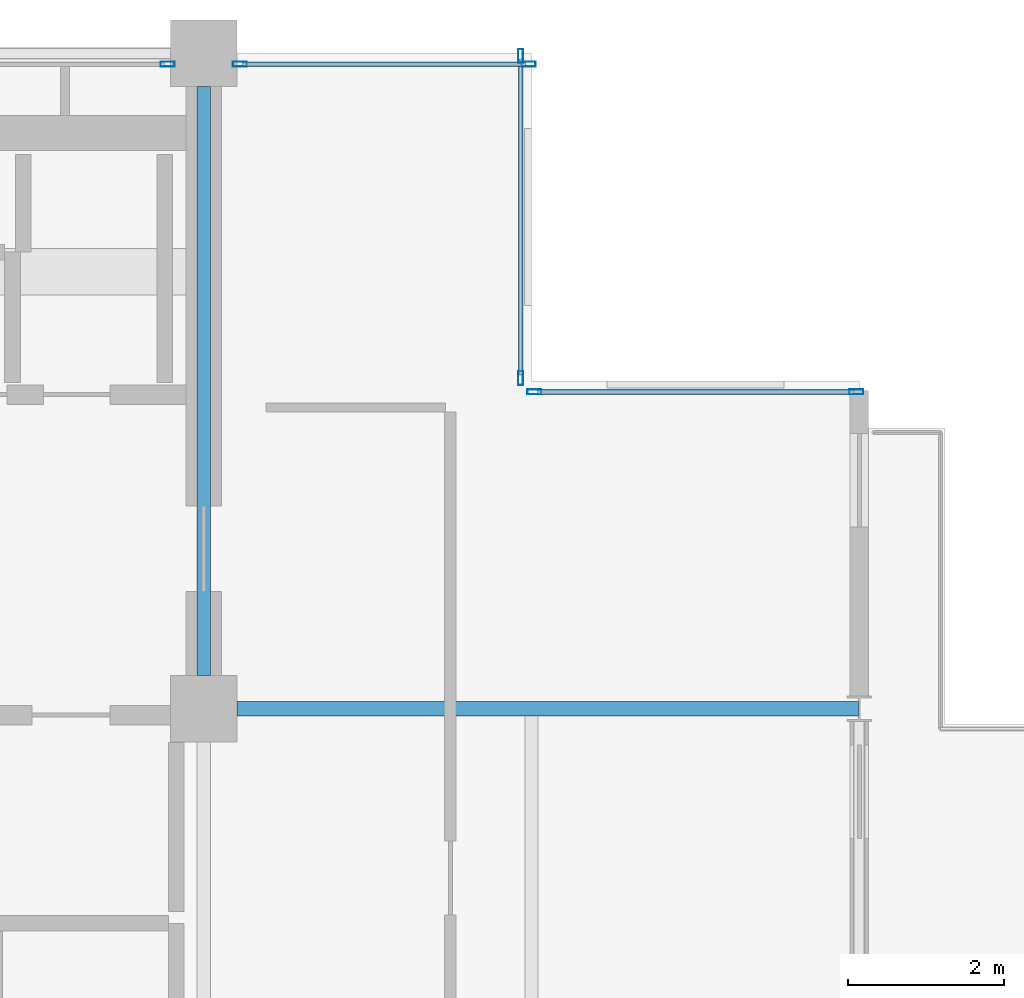
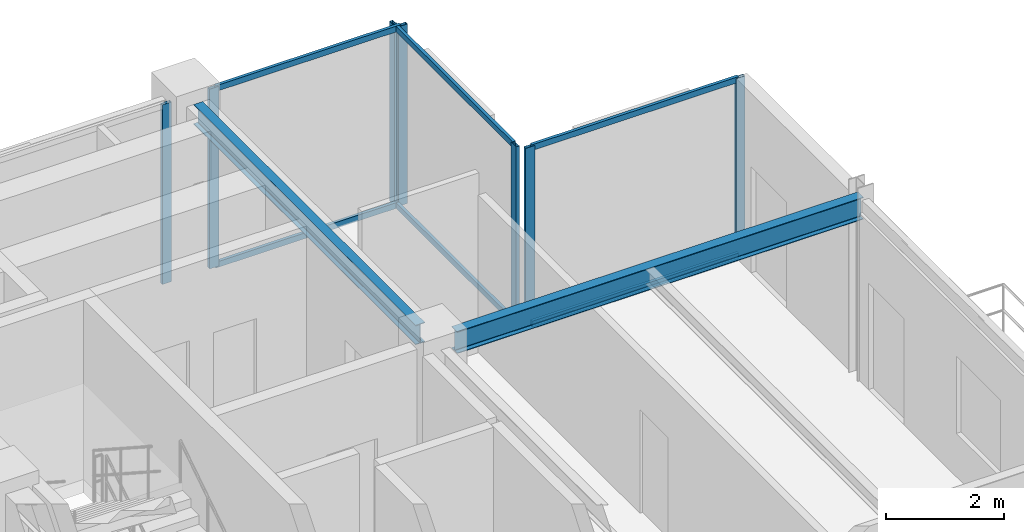
# One storey, part 18 of 24: 13 members, 2 beams, 4 elements without a shape of their own.
"""IFC4 building model written with IfcOpenShell, lengths in metres."""

from ifc_helpers import new_model, si_unit, direction, frame, origin, origin_2d, place, context, subcontext, project, spatial, hollow_rectangle, i_section, extrude, material, layer, layer_set, material_profile, profile_set, type_object, element, aggregate, save


model = new_model("IFC4")

# Units and contexts
model_context = context("Model", 3, precision=1e-05, world=origin(), true_north=direction((0.0, 1.0)))
body_context = subcontext(model_context, "Body", "Model", "MODEL_VIEW")
ifc_project = project(units=[si_unit("LENGTHUNIT", "METRE"), si_unit("AREAUNIT", "SQUARE_METRE"), si_unit("VOLUMEUNIT", "CUBIC_METRE"), si_unit("PLANEANGLEUNIT", "RADIAN"), si_unit("MASSUNIT", "GRAM", prefix="KILO")], contexts=[model_context])

# Site, building, storey
site_placement = place(None, origin())
site = spatial("IfcSite", under=ifc_project, at=site_placement, CompositionType="ELEMENT")
building_placement = place(site_placement, origin())
building = spatial("IfcBuilding", under=site, at=building_placement, Name="Nerrivon Quay Data Exchange", CompositionType="ELEMENT")
storey_placement = place(building_placement, frame((0.0, 0.0, 306.199951171875)))
storey = spatial("IfcBuildingStorey", under=building, at=storey_placement, Name="L73", CompositionType="ELEMENT", Elevation=306.199951171875)

# Beams
ifc_material_1 = material(Name="Steel Grade 350", Category="steel")
ifc_material_profile_1 = material_profile(ifc_material_1, i_section(OverallWidth=0.18994140625, OverallDepth=0.4541015625, WebThickness=0.008544921875, FlangeThickness=0.0126953125, FilletRadius=0.011474609375, at=origin_2d()), Name="460UB67.1")
ifc_profile_set_1 = profile_set([ifc_material_profile_1], Name="Steel Grade 350")
beam_type_1 = type_object("IfcBeamType", Name="BM-G6-460UB67", PredefinedType="BEAM", material=ifc_profile_set_1)
beam_1_placement = place(storey_placement, frame((17.22509765625, 33.60009765625, 3.498046875), z_axis=(1.0, 0.0, 0.0), x_axis=(0.0, 1.0, 0.0)))
element("IfcBeam", 1, at=beam_1_placement, inside=storey, type_object=beam_type_1, Name="L73 EW Girder Y=33.6 (16.8..25.2)", PredefinedType="BEAM", context=body_context, shape_type="SweptSolid", body=[
    extrude(i_section(OverallWidth=0.18994140625, OverallDepth=0.4541015625, WebThickness=0.008544921875, FlangeThickness=0.0126953125, FilletRadius=0.011474609375, at=origin_2d()), origin(), (0.0, 0.0, 1.0), 7.967041015625),
])
ifc_material_profile_2 = material_profile(ifc_material_1, i_section(OverallWidth=0.177978515625, OverallDepth=0.406005859375, WebThickness=0.0078125, FlangeThickness=0.0126953125, FilletRadius=0.011474609375, at=origin_2d()), Name="410UB59.7")
ifc_profile_set_2 = profile_set([ifc_material_profile_2], Name="Steel Grade 350")
beam_type_2 = type_object("IfcBeamType", Name="BM-J1-410UB60", PredefinedType="JOIST", material=ifc_profile_set_2)
beam_2_placement = place(storey_placement, frame((16.800048828125, 34.02490234375, 3.52197265625), z_axis=(0.0, 1.0, 0.0), x_axis=(-1.0, 0.0, 0.0)))
element("IfcBeam", 2, at=beam_2_placement, inside=storey, type_object=beam_type_2, Name="L73 NS Girder X=16.8 (33.6..42.0)", PredefinedType="JOIST", context=body_context, shape_type="SweptSolid", body=[
    extrude(i_section(OverallWidth=0.177978515625, OverallDepth=0.406005859375, WebThickness=0.0078125, FlangeThickness=0.0126953125, FilletRadius=0.011474609375, at=origin_2d()), origin(), (0.0, 0.0, 1.0), 7.550048828125),
])

# Curtain wall, member
ifc_material_2 = material(Name="Anodised aluminium 6063-T6", Category="aluminium")
ifc_layer = layer(ifc_material_2, 0.195068359375)
ifc_layer_set = layer_set([ifc_layer], Name="Anodised aluminium 6063-T6")
curtain_wall_type = type_object("IfcCurtainWallType", Name="CW-SYS-06", PredefinedType="NOTDEFINED", material=ifc_layer_set)
curtain_wall_1_placement = place(storey_placement, origin())
curtain_wall_1 = element("IfcCurtainWall", 3, at=curtain_wall_1_placement, inside=storey, type_object=curtain_wall_type, Name="L73 Unitised Curtain Wall 15", PredefinedType="NOTDEFINED")
ifc_material_profile_3 = material_profile(ifc_material_2, hollow_rectangle(XDim=0.06494140625, YDim=0.179931640625, WallThickness=0.00341796875, at=origin_2d()), Name="ALU-MULL-180x65")
ifc_profile_set_3 = profile_set([ifc_material_profile_3], Name="Anodised aluminium 6063-T6")
member_type_1 = type_object("IfcMemberType", Name="CWM-180x65", PredefinedType="MULLION", material=ifc_profile_set_3)
member_1_placement = place(storey_placement, frame((16.33740234375, 41.860107421875, 0.0), z_axis=(0.0, 0.0, 1.0), x_axis=(0.0, 1.0, 0.0)))
member_1 = element("IfcMember", 4, at=member_1_placement, type_object=member_type_1, Name="CW06 mullion 2", PredefinedType="MULLION", context=body_context, shape_type="SweptSolid", body=[
    extrude(hollow_rectangle(XDim=0.06494140625, YDim=0.179931640625, WallThickness=0.00341796875, at=origin_2d()), origin(), (0.0, 0.0, 1.0), 3.72509765625),
])
aggregate(curtain_wall_1, [member_1])

# Curtain wall, members
curtain_wall_2_placement = place(storey_placement, origin())
curtain_wall_2 = element("IfcCurtainWall", 5, at=curtain_wall_2_placement, inside=storey, type_object=curtain_wall_type, Name="L73 Unitised Curtain Wall 16", PredefinedType="NOTDEFINED")
member_2_placement = place(storey_placement, frame((17.262451171875, 41.860107421875, 0.0), z_axis=(0.0, 0.0, 1.0), x_axis=(0.0, 1.0, 0.0)))
member_2 = element("IfcMember", 6, at=member_2_placement, type_object=member_type_1, Name="CW06 mullion 1", PredefinedType="MULLION", context=body_context, shape_type="SweptSolid", body=[
    extrude(hollow_rectangle(XDim=0.06494140625, YDim=0.179931640625, WallThickness=0.00341796875, at=origin_2d()), origin(), (0.0, 0.0, 1.0), 3.72509765625),
])
member_3_placement = place(storey_placement, frame((20.96240234375, 41.860107421875, 0.0), z_axis=(0.0, 0.0, 1.0), x_axis=(0.0, 1.0, 0.0)))
member_3 = element("IfcMember", 7, at=member_3_placement, type_object=member_type_1, Name="CW06 mullion 2", PredefinedType="MULLION", context=body_context, shape_type="SweptSolid", body=[
    extrude(hollow_rectangle(XDim=0.06494140625, YDim=0.179931640625, WallThickness=0.00341796875, at=origin_2d()), origin(), (0.0, 0.0, 1.0), 3.72509765625),
])

curtain_wall_3_placement = place(storey_placement, origin())
curtain_wall_3 = element("IfcCurtainWall", 8, at=curtain_wall_3_placement, inside=storey, type_object=curtain_wall_type, Name="L73 Unitised Curtain Wall 17", PredefinedType="NOTDEFINED")
member_4_placement = place(storey_placement, frame((20.860107421875, 41.96240234375, 0.0), z_axis=(0.0, 0.0, 1.0), x_axis=(1.0, 0.0, 0.0)))
member_4 = element("IfcMember", 9, at=member_4_placement, type_object=member_type_1, Name="CW06 mullion 1", PredefinedType="MULLION", context=body_context, shape_type="SweptSolid", body=[
    extrude(hollow_rectangle(XDim=0.06494140625, YDim=0.179931640625, WallThickness=0.00341796875, at=origin_2d()), origin(), (0.0, 0.0, 1.0), 3.72509765625),
])
member_5_placement = place(storey_placement, frame((20.860107421875, 37.83740234375, 0.0), z_axis=(0.0, 0.0, 1.0), x_axis=(1.0, 0.0, 0.0)))
member_5 = element("IfcMember", 10, at=member_5_placement, type_object=member_type_1, Name="CW06 mullion 2", PredefinedType="MULLION", context=body_context, shape_type="SweptSolid", body=[
    extrude(hollow_rectangle(XDim=0.06494140625, YDim=0.179931640625, WallThickness=0.00341796875, at=origin_2d()), origin(), (0.0, 0.0, 1.0), 3.72509765625),
])

curtain_wall_4_placement = place(storey_placement, origin())
curtain_wall_4 = element("IfcCurtainWall", 11, at=curtain_wall_4_placement, inside=storey, type_object=curtain_wall_type, Name="L73 Unitised Curtain Wall 18", PredefinedType="NOTDEFINED")
member_6_placement = place(storey_placement, frame((21.03759765625, 37.659912109375, 0.0), z_axis=(0.0, 0.0, 1.0), x_axis=(0.0, 1.0, 0.0)))
member_6 = element("IfcMember", 12, at=member_6_placement, type_object=member_type_1, Name="CW06 mullion 1", PredefinedType="MULLION", context=body_context, shape_type="SweptSolid", body=[
    extrude(hollow_rectangle(XDim=0.06494140625, YDim=0.179931640625, WallThickness=0.00341796875, at=origin_2d()), origin(), (0.0, 0.0, 1.0), 3.72509765625),
])
member_7_placement = place(storey_placement, frame((25.16259765625, 37.659912109375, 0.0), z_axis=(0.0, 0.0, 1.0), x_axis=(0.0, 1.0, 0.0)))
member_7 = element("IfcMember", 13, at=member_7_placement, type_object=member_type_1, Name="CW06 mullion 2", PredefinedType="MULLION", context=body_context, shape_type="SweptSolid", body=[
    extrude(hollow_rectangle(XDim=0.06494140625, YDim=0.179931640625, WallThickness=0.00341796875, at=origin_2d()), origin(), (0.0, 0.0, 1.0), 3.72509765625),
])

# Member
ifc_material_profile_4 = material_profile(ifc_material_2, hollow_rectangle(XDim=0.06005859375, YDim=0.1201171875, WallThickness=0.003173828125, at=origin_2d()), Name="ALU-TRAN-120x60")
ifc_profile_set_4 = profile_set([ifc_material_profile_4], Name="Anodised aluminium 6063-T6")
member_type_2 = type_object("IfcMemberType", Name="CWT-120x60", PredefinedType="USERDEFINED", material=ifc_profile_set_4)
member_8_placement = place(storey_placement, frame((17.300048828125, 41.860107421875, 0.032470703125), z_axis=(1.0, 0.0, 0.0), x_axis=(0.0, 1.0, 0.0)))
member_8 = element("IfcMember", 14, at=member_8_placement, type_object=member_type_2, Name="CW06 transom 1.1", ObjectType="TRANSOM", PredefinedType="USERDEFINED", context=body_context, shape_type="SweptSolid", body=[
    extrude(hollow_rectangle(XDim=0.06005859375, YDim=0.1201171875, WallThickness=0.003173828125, at=origin_2d()), origin(), (0.0, 0.0, 1.0), 3.625),
])

member_9_placement = place(storey_placement, frame((17.300048828125, 41.860107421875, 3.692626953125), z_axis=(1.0, 0.0, 0.0), x_axis=(0.0, 1.0, 0.0)))
member_9 = element("IfcMember", 15, at=member_9_placement, type_object=member_type_2, Name="CW06 transom 1.2", ObjectType="TRANSOM", PredefinedType="USERDEFINED", context=body_context, shape_type="SweptSolid", body=[
    extrude(hollow_rectangle(XDim=0.06005859375, YDim=0.1201171875, WallThickness=0.003173828125, at=origin_2d()), origin(), (0.0, 0.0, 1.0), 3.625),
])

aggregate(curtain_wall_2, [member_2, member_3, member_8, member_9])

member_10_placement = place(storey_placement, frame((20.860107421875, 41.925048828125, 0.032470703125), z_axis=(0.0, -1.0, 0.0), x_axis=(1.0, 0.0, 0.0)))
member_10 = element("IfcMember", 16, at=member_10_placement, type_object=member_type_2, Name="CW06 transom 1.1", ObjectType="TRANSOM", PredefinedType="USERDEFINED", context=body_context, shape_type="SweptSolid", body=[
    extrude(hollow_rectangle(XDim=0.06005859375, YDim=0.1201171875, WallThickness=0.003173828125, at=origin_2d()), origin(), (0.0, 0.0, 1.0), 4.050048828125),
])

member_11_placement = place(storey_placement, frame((20.860107421875, 41.925048828125, 3.692626953125), z_axis=(0.0, -1.0, 0.0), x_axis=(1.0, 0.0, 0.0)))
member_11 = element("IfcMember", 17, at=member_11_placement, type_object=member_type_2, Name="CW06 transom 1.2", ObjectType="TRANSOM", PredefinedType="USERDEFINED", context=body_context, shape_type="SweptSolid", body=[
    extrude(hollow_rectangle(XDim=0.06005859375, YDim=0.1201171875, WallThickness=0.003173828125, at=origin_2d()), origin(), (0.0, 0.0, 1.0), 4.050048828125),
])

aggregate(curtain_wall_3, [member_4, member_5, member_10, member_11])

member_12_placement = place(storey_placement, frame((21.074951171875, 37.659912109375, 0.032470703125), z_axis=(1.0, 0.0, 0.0), x_axis=(0.0, 1.0, 0.0)))
member_12 = element("IfcMember", 18, at=member_12_placement, type_object=member_type_2, Name="CW06 transom 1.1", ObjectType="TRANSOM", PredefinedType="USERDEFINED", context=body_context, shape_type="SweptSolid", body=[
    extrude(hollow_rectangle(XDim=0.06005859375, YDim=0.1201171875, WallThickness=0.003173828125, at=origin_2d()), origin(), (0.0, 0.0, 1.0), 4.050048828125),
])

member_13_placement = place(storey_placement, frame((21.074951171875, 37.659912109375, 3.692626953125), z_axis=(1.0, 0.0, 0.0), x_axis=(0.0, 1.0, 0.0)))
member_13 = element("IfcMember", 19, at=member_13_placement, type_object=member_type_2, Name="CW06 transom 1.2", ObjectType="TRANSOM", PredefinedType="USERDEFINED", context=body_context, shape_type="SweptSolid", body=[
    extrude(hollow_rectangle(XDim=0.06005859375, YDim=0.1201171875, WallThickness=0.003173828125, at=origin_2d()), origin(), (0.0, 0.0, 1.0), 4.050048828125),
])

aggregate(curtain_wall_4, [member_6, member_7, member_12, member_13])

save(model, "model.ifc")
